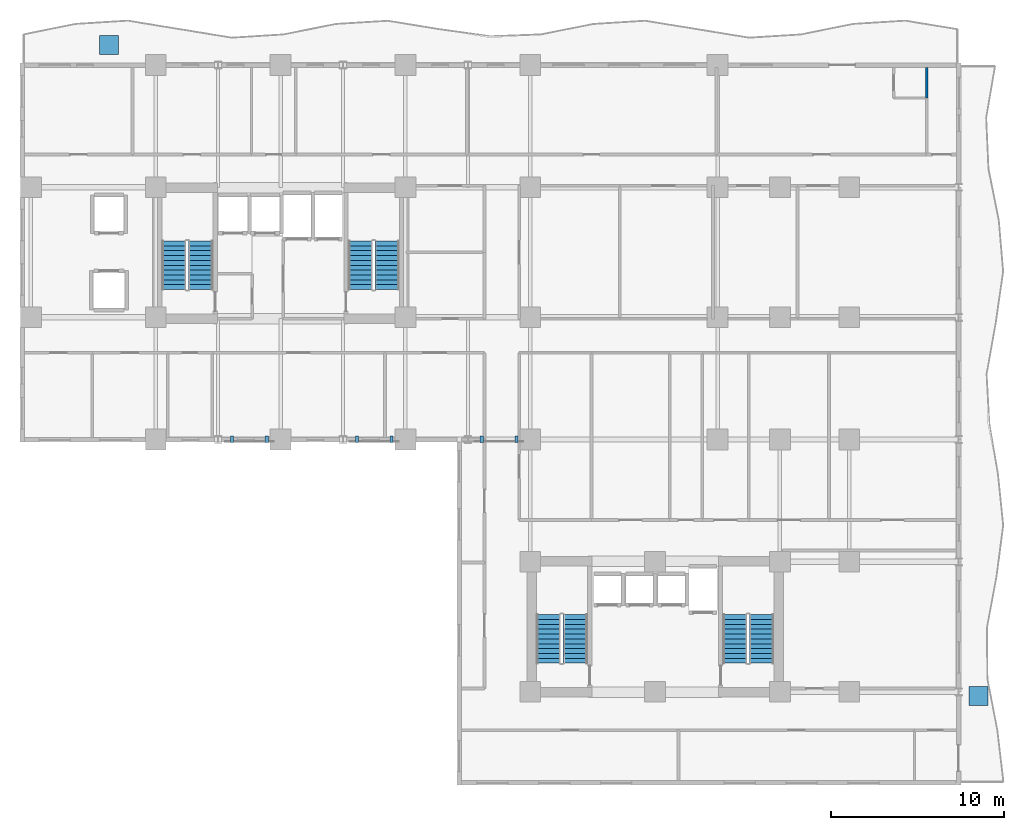
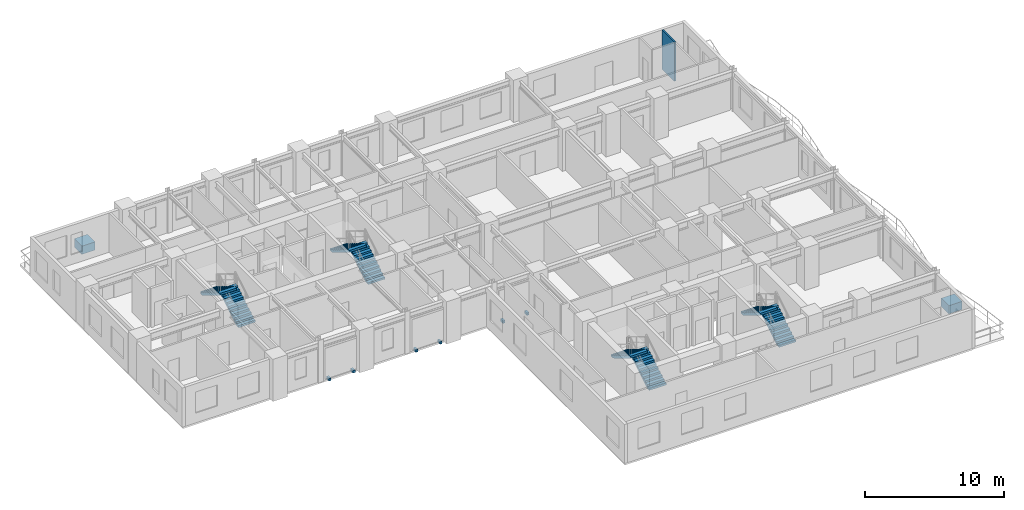
# One storey, part 8 of 11: 8 discrete accessories, 8 stair flights, 1 wall, 4 elements without a shape of their own.
"""IFC4 building model written with IfcOpenShell, lengths in metres."""

from ifc_helpers import new_model, si_unit, direction, frame, frame_2d, origin, origin_2d, place, context, subcontext, project, spatial, polyline, rectangle, outline, extrude, source, transform, mapped, material, layer, layer_set, type_object, element, aggregate, save


model = new_model("IFC4")

# Units and contexts
model_context = context("Model", 3, precision=1e-05, world=origin(), true_north=direction((0.0, 1.0)))
body_context = subcontext(model_context, "Body", "Model", "MODEL_VIEW")
ifc_project = project(units=[si_unit("LENGTHUNIT", "METRE"), si_unit("AREAUNIT", "SQUARE_METRE"), si_unit("VOLUMEUNIT", "CUBIC_METRE"), si_unit("PLANEANGLEUNIT", "RADIAN"), si_unit("MASSUNIT", "GRAM", prefix="KILO")], contexts=[model_context])

# Site, building, storey
site_placement = place(None, origin())
site = spatial("IfcSite", under=ifc_project, at=site_placement, CompositionType="ELEMENT")
building_placement = place(site_placement, origin())
building = spatial("IfcBuilding", under=site, at=building_placement, Name="Kaliganga Portal Commons", CompositionType="ELEMENT")
storey_placement = place(building_placement, frame((0.0, 0.0, 89.699951171875)))
storey = spatial("IfcBuildingStorey", under=building, at=storey_placement, Name="L22", CompositionType="ELEMENT", Elevation=89.699951171875)

# Wall
ifc_material_1 = material(Name="Cement-Board Wet-Room Partition", Category="gypsum")
ifc_layer = layer(ifc_material_1, 0.135009765625)
ifc_layer_set = layer_set([ifc_layer], Name="Cement-Board Wet-Room Partition")
wall_type = type_object("IfcWallType", Name="WL-PART-WET-135", PredefinedType="PARTITIONING", material=ifc_layer_set)
wall_placement = place(storey_placement, frame((58.860107421875, 41.300048828125, 0.0), z_axis=(0.0, 0.0, 1.0), x_axis=(0.0, 1.0, 0.0)))
element("IfcWall", 1, at=wall_placement, inside=storey, type_object=wall_type, Name="Interior Partition L22-002", PredefinedType="PARTITIONING", context=body_context, shape_type="SweptSolid", body=[
    extrude(rectangle(XDim=1.76806640625, YDim=0.135009765625, at=frame_2d((0.884033203125, 0.0))), origin(), (0.0, 0.0, 1.0), 3.429931640625),
])

# Stair, stair flights
ifc_material_2 = material(Name="Concrete C40/50", Category="concrete")
stair_type = type_object("IfcStairType", Name="ST-CORE-DOGLEG", PredefinedType="HALF_TURN_STAIR", material=ifc_material_2)
stair_1_placement = place(storey_placement, origin())
stair_1 = element("IfcStair", 2, at=stair_1_placement, inside=storey, type_object=stair_type, Name="L22 Protected Exit Stair ST-A1", PredefinedType="HALF_TURN_STAIR")
stair_flight_type = type_object("IfcStairFlightType", Name="STF-RC-1400", PredefinedType="STRAIGHT", material=ifc_material_2)
stair_flight_1_placement = place(storey_placement, frame((17.0, 30.25, 0.0), z_axis=(0.0, 0.0, 1.0), x_axis=(0.0, 1.0, 0.0)))
stair_flight_1 = element("IfcStairFlight", 3, at=stair_flight_1_placement, type_object=stair_flight_type, Name="ST-A1 flight 1", NumberOfRisers=11, NumberOfTreads=10, PredefinedType="STRAIGHT", RiserHeight=0.168181818, TreadLength=0.28, context=body_context, shape_type="SweptSolid", body=[
    extrude(outline(polyline([(0.0, 0.0), (0.0, 0.168212890625), (0.280029296875, 0.168212890625), (0.280029296875, 0.33642578125), (0.56005859375, 0.33642578125), (0.56005859375, 0.504638671875), (0.840087890625, 0.504638671875), (0.840087890625, 0.672607421875), (1.1201171875, 0.672607421875), (1.1201171875, 0.8408203125), (1.39990234375, 0.8408203125), (1.39990234375, 1.009033203125), (1.679931640625, 1.009033203125), (1.679931640625, 1.17724609375), (1.9599609375, 1.17724609375), (1.9599609375, 1.345458984375), (2.239990234375, 1.345458984375), (2.239990234375, 1.513671875), (2.52001953125, 1.513671875), (2.52001953125, 1.681884765625), (2.800048828125, 1.681884765625), (2.800048828125, 1.85009765625), (2.800048828125, 1.5068359375), (0.291015625, 0.0), (0.0, 0.0)])), frame((0.0, 0.699951171875, 0.0), z_axis=(0.0, -1.0, 0.0), x_axis=(1.0, 0.0, 0.0)), (0.0, 0.0, 1.0), 1.39990234375),
])
stair_flight_2_placement = place(storey_placement, frame((15.449951171875, 33.050048828125, 1.85009765625), z_axis=(0.0, 0.0, 1.0), x_axis=(0.0, -1.0, 0.0)))
stair_flight_2 = element("IfcStairFlight", 4, at=stair_flight_2_placement, type_object=stair_flight_type, Name="ST-A1 flight 2", NumberOfRisers=11, NumberOfTreads=10, PredefinedType="STRAIGHT", RiserHeight=0.168181818, TreadLength=0.28, context=body_context, shape_type="SweptSolid", body=[
    extrude(outline(polyline([(0.0, 0.0), (0.0, 0.168212890625), (0.280029296875, 0.168212890625), (0.280029296875, 0.33642578125), (0.56005859375, 0.33642578125), (0.56005859375, 0.504638671875), (0.840087890625, 0.504638671875), (0.840087890625, 0.672607421875), (1.1201171875, 0.672607421875), (1.1201171875, 0.8408203125), (1.39990234375, 0.8408203125), (1.39990234375, 1.009033203125), (1.679931640625, 1.009033203125), (1.679931640625, 1.17724609375), (1.9599609375, 1.17724609375), (1.9599609375, 1.345458984375), (2.239990234375, 1.345458984375), (2.239990234375, 1.513671875), (2.52001953125, 1.513671875), (2.52001953125, 1.681884765625), (2.800048828125, 1.681884765625), (2.800048828125, 1.85009765625), (2.800048828125, 1.5068359375), (0.291015625, 0.0), (0.0, 0.0)])), frame((0.0, 0.699951171875, 0.0), z_axis=(0.0, -1.0, 0.0), x_axis=(1.0, 0.0, 0.0)), (0.0, 0.0, 1.0), 1.39990234375),
])
aggregate(stair_1, [stair_flight_1, stair_flight_2])

stair_2_placement = place(storey_placement, origin())
stair_2 = element("IfcStair", 5, at=stair_2_placement, inside=storey, type_object=stair_type, Name="L22 Protected Exit Stair ST-A2", PredefinedType="HALF_TURN_STAIR")
stair_flight_3_placement = place(storey_placement, frame((27.75, 30.25, 0.0), z_axis=(0.0, 0.0, 1.0), x_axis=(0.0, 1.0, 0.0)))
stair_flight_3 = element("IfcStairFlight", 6, at=stair_flight_3_placement, type_object=stair_flight_type, Name="ST-A2 flight 1", NumberOfRisers=11, NumberOfTreads=10, PredefinedType="STRAIGHT", RiserHeight=0.168181818, TreadLength=0.28, context=body_context, shape_type="SweptSolid", body=[
    extrude(outline(polyline([(0.0, 0.0), (0.0, 0.168212890625), (0.280029296875, 0.168212890625), (0.280029296875, 0.33642578125), (0.56005859375, 0.33642578125), (0.56005859375, 0.504638671875), (0.840087890625, 0.504638671875), (0.840087890625, 0.672607421875), (1.1201171875, 0.672607421875), (1.1201171875, 0.8408203125), (1.39990234375, 0.8408203125), (1.39990234375, 1.009033203125), (1.679931640625, 1.009033203125), (1.679931640625, 1.17724609375), (1.9599609375, 1.17724609375), (1.9599609375, 1.345458984375), (2.239990234375, 1.345458984375), (2.239990234375, 1.513671875), (2.52001953125, 1.513671875), (2.52001953125, 1.681884765625), (2.800048828125, 1.681884765625), (2.800048828125, 1.85009765625), (2.800048828125, 1.5068359375), (0.291015625, 0.0), (0.0, 0.0)])), frame((0.0, 0.699951171875, 0.0), z_axis=(0.0, -1.0, 0.0), x_axis=(1.0, 0.0, 0.0)), (0.0, 0.0, 1.0), 1.39990234375),
])
stair_flight_4_placement = place(storey_placement, frame((26.199951171875, 33.050048828125, 1.85009765625), z_axis=(0.0, 0.0, 1.0), x_axis=(0.0, -1.0, 0.0)))
stair_flight_4 = element("IfcStairFlight", 7, at=stair_flight_4_placement, type_object=stair_flight_type, Name="ST-A2 flight 2", NumberOfRisers=11, NumberOfTreads=10, PredefinedType="STRAIGHT", RiserHeight=0.168181818, TreadLength=0.28, context=body_context, shape_type="SweptSolid", body=[
    extrude(outline(polyline([(0.0, 0.0), (0.0, 0.168212890625), (0.280029296875, 0.168212890625), (0.280029296875, 0.33642578125), (0.56005859375, 0.33642578125), (0.56005859375, 0.504638671875), (0.840087890625, 0.504638671875), (0.840087890625, 0.672607421875), (1.1201171875, 0.672607421875), (1.1201171875, 0.8408203125), (1.39990234375, 0.8408203125), (1.39990234375, 1.009033203125), (1.679931640625, 1.009033203125), (1.679931640625, 1.17724609375), (1.9599609375, 1.17724609375), (1.9599609375, 1.345458984375), (2.239990234375, 1.345458984375), (2.239990234375, 1.513671875), (2.52001953125, 1.513671875), (2.52001953125, 1.681884765625), (2.800048828125, 1.681884765625), (2.800048828125, 1.85009765625), (2.800048828125, 1.5068359375), (0.291015625, 0.0), (0.0, 0.0)])), frame((0.0, 0.699951171875, 0.0), z_axis=(0.0, -1.0, 0.0), x_axis=(1.0, 0.0, 0.0)), (0.0, 0.0, 1.0), 1.39990234375),
])
aggregate(stair_2, [stair_flight_3, stair_flight_4])

stair_3_placement = place(storey_placement, origin())
stair_3 = element("IfcStair", 8, at=stair_3_placement, inside=storey, type_object=stair_type, Name="L22 Protected Exit Stair ST-B1", PredefinedType="HALF_TURN_STAIR")
stair_flight_5_placement = place(storey_placement, frame((38.60009765625, 8.699951171875, 0.0), z_axis=(0.0, 0.0, 1.0), x_axis=(0.0, 1.0, 0.0)))
stair_flight_5 = element("IfcStairFlight", 9, at=stair_flight_5_placement, type_object=stair_flight_type, Name="ST-B1 flight 1", NumberOfRisers=11, NumberOfTreads=10, PredefinedType="STRAIGHT", RiserHeight=0.168181818, TreadLength=0.28, context=body_context, shape_type="SweptSolid", body=[
    extrude(outline(polyline([(0.0, 0.0), (0.0, 0.168212890625), (0.280029296875, 0.168212890625), (0.280029296875, 0.33642578125), (0.56005859375, 0.33642578125), (0.56005859375, 0.504638671875), (0.840087890625, 0.504638671875), (0.840087890625, 0.672607421875), (1.1201171875, 0.672607421875), (1.1201171875, 0.8408203125), (1.39990234375, 0.8408203125), (1.39990234375, 1.009033203125), (1.679931640625, 1.009033203125), (1.679931640625, 1.17724609375), (1.9599609375, 1.17724609375), (1.9599609375, 1.345458984375), (2.239990234375, 1.345458984375), (2.239990234375, 1.513671875), (2.52001953125, 1.513671875), (2.52001953125, 1.681884765625), (2.800048828125, 1.681884765625), (2.800048828125, 1.85009765625), (2.800048828125, 1.5068359375), (0.291015625, 0.0), (0.0, 0.0)])), frame((0.0, 0.699951171875, 0.0), z_axis=(0.0, -1.0, 0.0), x_axis=(1.0, 0.0, 0.0)), (0.0, 0.0, 1.0), 1.39990234375),
])
stair_flight_6_placement = place(storey_placement, frame((37.050048828125, 11.5, 1.85009765625), z_axis=(0.0, 0.0, 1.0), x_axis=(0.0, -1.0, 0.0)))
stair_flight_6 = element("IfcStairFlight", 10, at=stair_flight_6_placement, type_object=stair_flight_type, Name="ST-B1 flight 2", NumberOfRisers=11, NumberOfTreads=10, PredefinedType="STRAIGHT", RiserHeight=0.168181818, TreadLength=0.28, context=body_context, shape_type="SweptSolid", body=[
    extrude(outline(polyline([(0.0, 0.0), (0.0, 0.168212890625), (0.280029296875, 0.168212890625), (0.280029296875, 0.33642578125), (0.56005859375, 0.33642578125), (0.56005859375, 0.504638671875), (0.840087890625, 0.504638671875), (0.840087890625, 0.672607421875), (1.1201171875, 0.672607421875), (1.1201171875, 0.8408203125), (1.39990234375, 0.8408203125), (1.39990234375, 1.009033203125), (1.679931640625, 1.009033203125), (1.679931640625, 1.17724609375), (1.9599609375, 1.17724609375), (1.9599609375, 1.345458984375), (2.239990234375, 1.345458984375), (2.239990234375, 1.513671875), (2.52001953125, 1.513671875), (2.52001953125, 1.681884765625), (2.800048828125, 1.681884765625), (2.800048828125, 1.85009765625), (2.800048828125, 1.5068359375), (0.291015625, 0.0), (0.0, 0.0)])), frame((0.0, 0.699951171875, 0.0), z_axis=(0.0, -1.0, 0.0), x_axis=(1.0, 0.0, 0.0)), (0.0, 0.0, 1.0), 1.39990234375),
])
aggregate(stair_3, [stair_flight_5, stair_flight_6])

stair_4_placement = place(storey_placement, origin())
stair_4 = element("IfcStair", 11, at=stair_4_placement, inside=storey, type_object=stair_type, Name="L22 Protected Exit Stair ST-B2", PredefinedType="HALF_TURN_STAIR")
stair_flight_7_placement = place(storey_placement, frame((49.35009765625, 8.699951171875, 0.0), z_axis=(0.0, 0.0, 1.0), x_axis=(0.0, 1.0, 0.0)))
stair_flight_7 = element("IfcStairFlight", 12, at=stair_flight_7_placement, type_object=stair_flight_type, Name="ST-B2 flight 1", NumberOfRisers=11, NumberOfTreads=10, PredefinedType="STRAIGHT", RiserHeight=0.168181818, TreadLength=0.28, context=body_context, shape_type="SweptSolid", body=[
    extrude(outline(polyline([(0.0, 0.0), (0.0, 0.168212890625), (0.280029296875, 0.168212890625), (0.280029296875, 0.33642578125), (0.56005859375, 0.33642578125), (0.56005859375, 0.504638671875), (0.840087890625, 0.504638671875), (0.840087890625, 0.672607421875), (1.1201171875, 0.672607421875), (1.1201171875, 0.8408203125), (1.39990234375, 0.8408203125), (1.39990234375, 1.009033203125), (1.679931640625, 1.009033203125), (1.679931640625, 1.17724609375), (1.9599609375, 1.17724609375), (1.9599609375, 1.345458984375), (2.239990234375, 1.345458984375), (2.239990234375, 1.513671875), (2.52001953125, 1.513671875), (2.52001953125, 1.681884765625), (2.800048828125, 1.681884765625), (2.800048828125, 1.85009765625), (2.800048828125, 1.5068359375), (0.291015625, 0.0), (0.0, 0.0)])), frame((0.0, 0.699951171875, 0.0), z_axis=(0.0, -1.0, 0.0), x_axis=(1.0, 0.0, 0.0)), (0.0, 0.0, 1.0), 1.39990234375),
])
stair_flight_8_placement = place(storey_placement, frame((47.800048828125, 11.5, 1.85009765625), z_axis=(0.0, 0.0, 1.0), x_axis=(0.0, -1.0, 0.0)))
stair_flight_8 = element("IfcStairFlight", 13, at=stair_flight_8_placement, type_object=stair_flight_type, Name="ST-B2 flight 2", NumberOfRisers=11, NumberOfTreads=10, PredefinedType="STRAIGHT", RiserHeight=0.168181818, TreadLength=0.28, context=body_context, shape_type="SweptSolid", body=[
    extrude(outline(polyline([(0.0, 0.0), (0.0, 0.168212890625), (0.280029296875, 0.168212890625), (0.280029296875, 0.33642578125), (0.56005859375, 0.33642578125), (0.56005859375, 0.504638671875), (0.840087890625, 0.504638671875), (0.840087890625, 0.672607421875), (1.1201171875, 0.672607421875), (1.1201171875, 0.8408203125), (1.39990234375, 0.8408203125), (1.39990234375, 1.009033203125), (1.679931640625, 1.009033203125), (1.679931640625, 1.17724609375), (1.9599609375, 1.17724609375), (1.9599609375, 1.345458984375), (2.239990234375, 1.345458984375), (2.239990234375, 1.513671875), (2.52001953125, 1.513671875), (2.52001953125, 1.681884765625), (2.800048828125, 1.681884765625), (2.800048828125, 1.85009765625), (2.800048828125, 1.5068359375), (0.291015625, 0.0), (0.0, 0.0)])), frame((0.0, 0.699951171875, 0.0), z_axis=(0.0, -1.0, 0.0), x_axis=(1.0, 0.0, 0.0)), (0.0, 0.0, 1.0), 1.39990234375),
])
aggregate(stair_4, [stair_flight_7, stair_flight_8])

# Discrete accessories
ifc_material_3 = material(Name="Precast concrete C40/50", Category="concrete")
discrete_accessory_type_1 = type_object("IfcDiscreteAccessoryType", Name="DAC-PLANTER-RC", PredefinedType="USERDEFINED", material=ifc_material_3)
shared_shape_1 = source(origin(), body_context, "Body", "SweptSolid", [
    extrude(rectangle(XDim=1.10009765625, YDim=1.10009765625, at=origin_2d()), origin(), (0.0, 0.0, 1.0), 0.719970703125),
])
for number, where, z_axis, x_axis, name in (
    (14, (11.699951171875, 44.35009765625, 0.0), (0.0, 0.0, 1.0), (1.0, 0.0, 0.0), "Structural Tree Planter L22 balc_north"),
    (15, (61.85009765625, 6.800048828125, 0.0), (0.0, 0.0, 1.0), (1.0, 0.0, 0.0), "Structural Tree Planter L22 balc_east"),
):
    element("IfcDiscreteAccessory", number, at=place(storey_placement, frame(where, z_axis=z_axis, x_axis=x_axis)), inside=storey, type_object=discrete_accessory_type_1, Name=name, ObjectType="PLANTER", PredefinedType="USERDEFINED", context=body_context, shape_type="MappedRepresentation", body=[
        mapped(shared_shape_1, transform((0.0, 0.0, 0.0), x_axis=(1.0, 0.0, 0.0), y_axis=(0.0, 1.0, 0.0), z_axis=(0.0, 0.0, 1.0), scale=1.0)),
    ])
ifc_material_4 = material(Name="Structural steel S355J2", Category="steel")
discrete_accessory_type_2 = type_object("IfcDiscreteAccessoryType", Name="DAC-BRK-SCR", PredefinedType="BRACKET", material=ifc_material_4)
shared_shape_2 = source(origin(), body_context, "Body", "SweptSolid", [
    extrude(rectangle(XDim=0.179931640625, YDim=0.360107421875, at=origin_2d()), origin(), (0.0, 0.0, 1.0), 0.219970703125),
])
for number, where, z_axis, x_axis, name in (
    (16, (18.800048828125, 21.6201171875, -0.18994140625), (0.0, 0.0, 1.0), (1.0, 0.0, 0.0), "Solar Screen Outrigger Bracket L22-S1-1"),
    (17, (20.800048828125, 21.6201171875, -0.18994140625), (0.0, 0.0, 1.0), (1.0, 0.0, 0.0), "Solar Screen Outrigger Bracket L22-S1-2"),
    (18, (26.0, 21.6201171875, -0.18994140625), (0.0, 0.0, 1.0), (1.0, 0.0, 0.0), "Solar Screen Outrigger Bracket L22-S2-1"),
    (19, (28.0, 21.6201171875, -0.18994140625), (0.0, 0.0, 1.0), (1.0, 0.0, 0.0), "Solar Screen Outrigger Bracket L22-S2-2"),
    (20, (33.199951171875, 21.6201171875, -0.18994140625), (0.0, 0.0, 1.0), (1.0, 0.0, 0.0), "Solar Screen Outrigger Bracket L22-S3-1"),
    (21, (35.199951171875, 21.6201171875, -0.18994140625), (0.0, 0.0, 1.0), (1.0, 0.0, 0.0), "Solar Screen Outrigger Bracket L22-S3-2"),
):
    element("IfcDiscreteAccessory", number, at=place(storey_placement, frame(where, z_axis=z_axis, x_axis=x_axis)), inside=storey, type_object=discrete_accessory_type_2, Name=name, PredefinedType="BRACKET", context=body_context, shape_type="MappedRepresentation", body=[
        mapped(shared_shape_2, transform((0.0, 0.0, 0.0), x_axis=(1.0, 0.0, 0.0), y_axis=(0.0, 1.0, 0.0), z_axis=(0.0, 0.0, 1.0), scale=1.0)),
    ])

save(model, "model.ifc")
